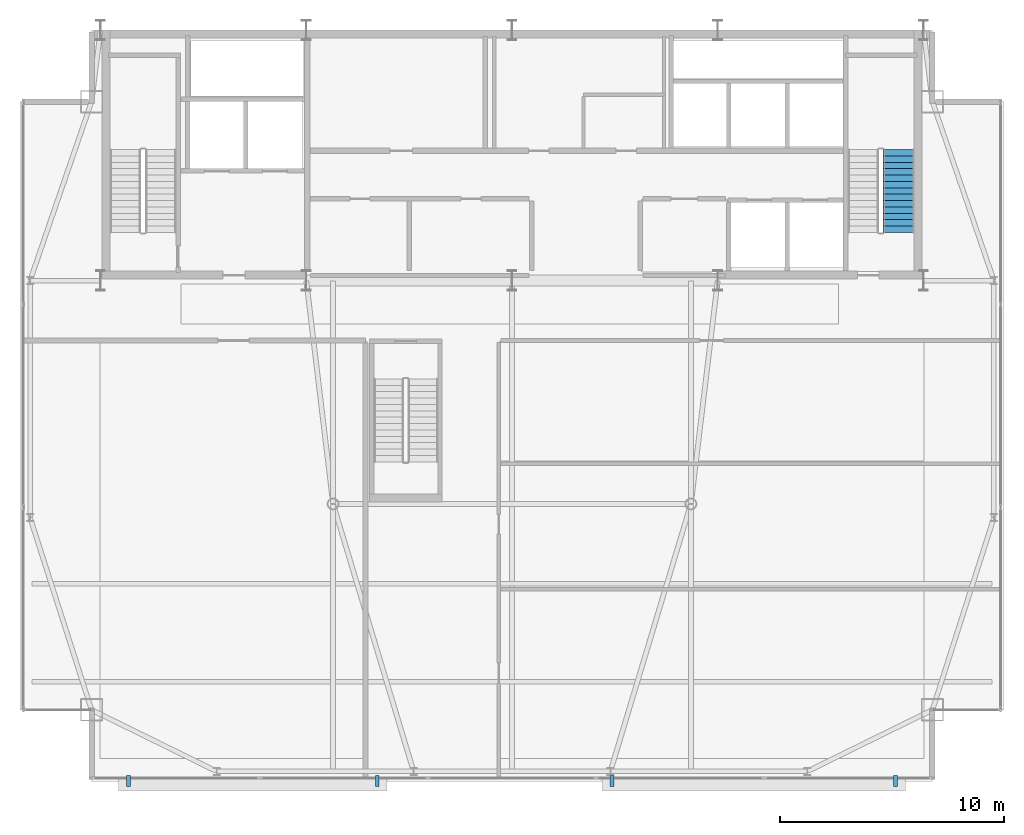
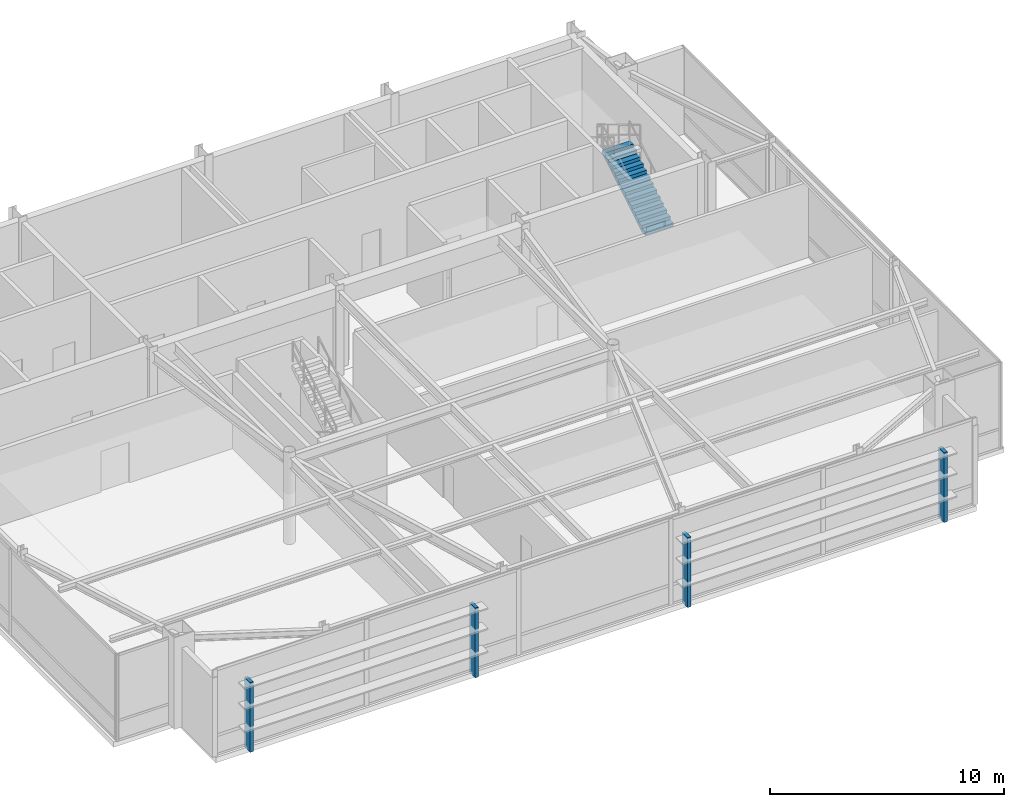
# One storey, part 20 of 21: 4 discrete accessories, 1 stair flight, 1 element without a shape of its own.
"""IFC4 building model written with IfcOpenShell, lengths in metres."""

from ifc_helpers import new_model, si_unit, direction, frame, origin, origin_2d, place, context, subcontext, project, spatial, polyline, rectangle, outline, extrude, source, transform, mapped, material, layer, layer_set, type_object, type_shapes, element, aggregate, save


model = new_model("IFC4")

# Units and contexts
model_context = context("Model", 3, precision=1e-05, world=origin(), true_north=direction((0.0, 1.0)))
body_context = subcontext(model_context, "Body", "Model", "MODEL_VIEW")
ifc_project = project(units=[si_unit("LENGTHUNIT", "METRE"), si_unit("AREAUNIT", "SQUARE_METRE"), si_unit("VOLUMEUNIT", "CUBIC_METRE"), si_unit("PLANEANGLEUNIT", "RADIAN"), si_unit("MASSUNIT", "GRAM", prefix="KILO")], contexts=[model_context])

# Site, building, storey
site_placement = place(None, origin())
site = spatial("IfcSite", under=ifc_project, at=site_placement, CompositionType="ELEMENT")
building_placement = place(site_placement, origin())
building = spatial("IfcBuilding", under=site, at=building_placement, Name="Varnel Quay Broadcast Tower", CompositionType="ELEMENT")
storey_placement = place(building_placement, frame((0.0, 0.0, 300.199951171875)))
storey = spatial("IfcBuildingStorey", under=building, at=storey_placement, Name="L75", CompositionType="ELEMENT", Elevation=300.199951171875)

# Stair, stair flight
ifc_material_1 = material(Name="Precast Structural Concrete C40/50", Category="concrete")
stair_type = type_object("IfcStairType", Name="Stair_ST-02", PredefinedType="HALF_TURN_STAIR", material=ifc_material_1)
stair_placement = place(storey_placement, origin())
stair = element("IfcStair", 1, at=stair_placement, inside=storey, type_object=stair_type, Name="L75 East Core Exit Stair 2", PredefinedType="HALF_TURN_STAIR")
stair_flight_type = type_object("IfcStairFlightType", Name="Flight_ST-02", PredefinedType="STRAIGHT", material=ifc_material_1)
stair_flight_placement = place(storey_placement, frame((51.300048828125, 37.75, 0.0), z_axis=(0.0, 0.0, 1.0), x_axis=(0.0, 1.0, 0.0)))
stair_flight = element("IfcStairFlight", 2, at=stair_flight_placement, type_object=stair_flight_type, Name="ST-02 flight 1", NumberOfRisers=14, NumberOfTreads=13, PredefinedType="STRAIGHT", RiserHeight=0.171428571, TreadLength=0.285, context=body_context, shape_type="SweptSolid", body=[
    extrude(outline(polyline([(0.0, 0.0), (0.0, 0.17138671875), (0.284912109375, 0.17138671875), (0.284912109375, 0.3427734375), (0.570068359375, 0.3427734375), (0.570068359375, 0.514404296875), (0.85498046875, 0.514404296875), (0.85498046875, 0.685791015625), (1.139892578125, 0.685791015625), (1.139892578125, 0.857177734375), (1.425048828125, 0.857177734375), (1.425048828125, 1.028564453125), (1.7099609375, 1.028564453125), (1.7099609375, 1.199951171875), (1.9951171875, 1.199951171875), (1.9951171875, 1.371337890625), (2.280029296875, 1.371337890625), (2.280029296875, 1.54296875), (2.56494140625, 1.54296875), (2.56494140625, 1.71435546875), (2.85009765625, 1.71435546875), (2.85009765625, 1.8857421875), (3.135009765625, 1.8857421875), (3.135009765625, 2.05712890625), (3.419921875, 2.05712890625), (3.419921875, 2.228515625), (3.705078125, 2.228515625), (3.705078125, 2.39990234375), (3.705078125, 2.0537109375), (0.290771484375, 0.0), (0.0, 0.0)])), frame((0.0, 0.699951171875, 0.0), z_axis=(0.0, -1.0, 0.0), x_axis=(1.0, 0.0, 0.0)), (0.0, 0.0, 1.0), 1.39990234375),
])
aggregate(stair, [stair_flight])

# Discrete accessories
ifc_material_2 = material(Name="Anodised Bronze Aluminium 6063-T6", Category="aluminium")
ifc_layer = layer(ifc_material_2, 0.47998046875, Name="Anodised Bronze Aluminium 6063-T6")
ifc_layer_set = layer_set([ifc_layer], Name="Anodised Bronze Aluminium 6063-T6")
discrete_accessory_type = type_object("IfcDiscreteAccessoryType", Name="Acc_FacadeBracket", PredefinedType="BRACKET", material=ifc_layer_set)
shared_shape = source(origin(), body_context, "Body", "SweptSolid", [
    extrude(rectangle(XDim=0.159912109375, YDim=0.47998046875, at=origin_2d()), origin(), (0.0, 0.0, 1.0), 3.64990234375),
])
type_shapes(discrete_accessory_type, [shared_shape])
for number, where, z_axis, x_axis, name in (
    (3, (16.85009765625, 13.219970703125, -0.14990234375), (0.0, 0.0, 1.0), (1.0, 0.0, 0.0), "L75 Lobe 1 Louvre Support Bracket 1"),
    (4, (27.970947265625, 13.219970703125, -0.14990234375), (0.0, 0.0, 1.0), (1.0, 0.0, 0.0), "L75 Lobe 1 Louvre Support Bracket 2"),
    (5, (38.470947265625, 13.219970703125, -0.14990234375), (0.0, 0.0, 1.0), (1.0, 0.0, 0.0), "L75 Lobe 2 Louvre Support Bracket 1"),
    (6, (51.14990234375, 13.219970703125, -0.14990234375), (0.0, 0.0, 1.0), (1.0, 0.0, 0.0), "L75 Lobe 2 Louvre Support Bracket 2"),
):
    element("IfcDiscreteAccessory", number, at=place(storey_placement, frame(where, z_axis=z_axis, x_axis=x_axis)), inside=storey, type_object=discrete_accessory_type, Name=name, PredefinedType="BRACKET", context=body_context, shape_type="MappedRepresentation", body=[
        mapped(shared_shape, transform((0.0, 0.0, 0.0), x_axis=(1.0, 0.0, 0.0), y_axis=(0.0, 1.0, 0.0), z_axis=(0.0, 0.0, 1.0), scale=1.0)),
    ])

save(model, "model.ifc")
